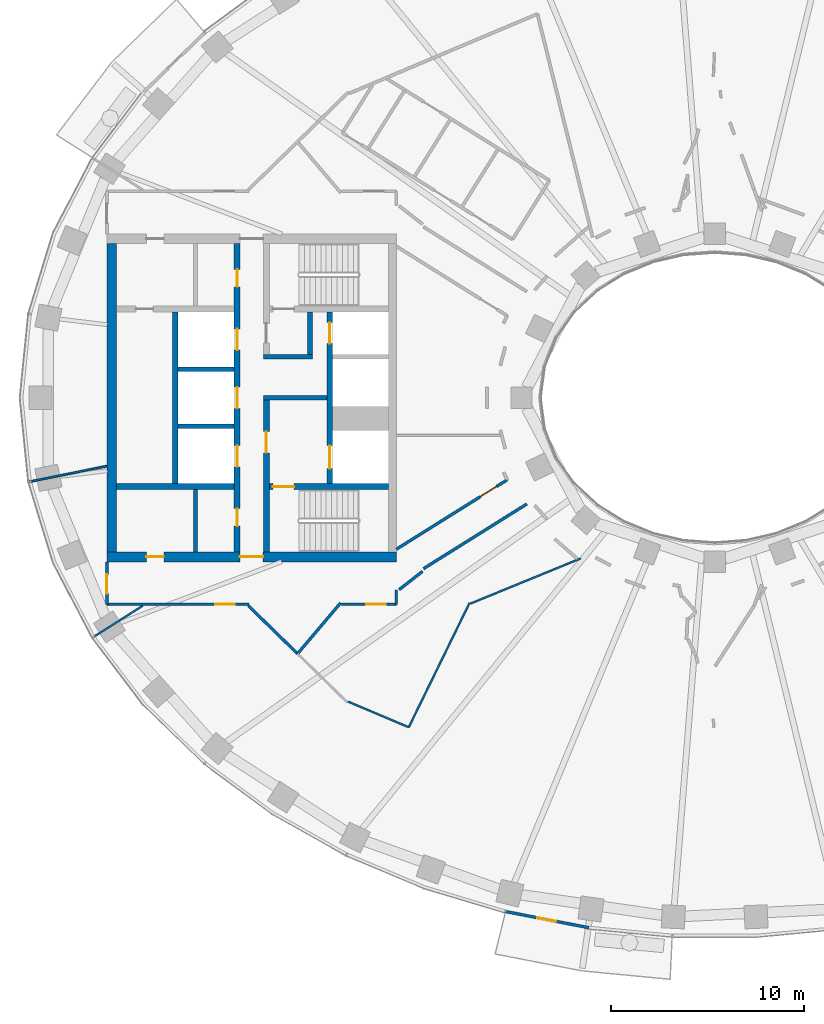
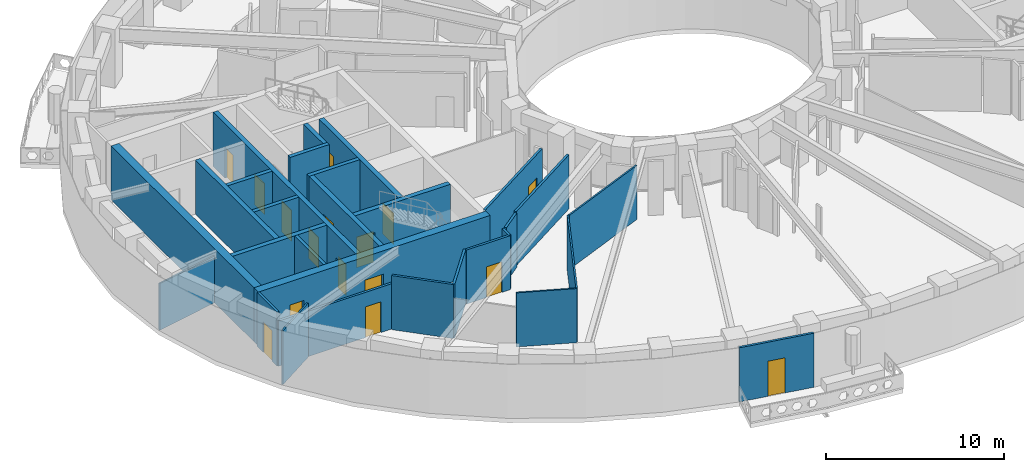
# One storey, part 3 of 16: 29 walls, 16 doors, 16 openings.
"""IFC4 building model written with IfcOpenShell, lengths in metres."""

from ifc_helpers import new_model, si_unit, direction, frame, frame_2d, origin, place, context, subcontext, project, spatial, rectangle, extrude, material, layer, layer_set, type_object, element, fill, save


model = new_model("IFC4")

# Units and contexts
model_context = context("Model", 3, precision=1e-05, world=origin(), true_north=direction((0.0, 1.0)))
body_context = subcontext(model_context, "Body", "Model", "MODEL_VIEW")
ifc_project = project(units=[si_unit("LENGTHUNIT", "METRE"), si_unit("AREAUNIT", "SQUARE_METRE"), si_unit("VOLUMEUNIT", "CUBIC_METRE"), si_unit("PLANEANGLEUNIT", "RADIAN"), si_unit("MASSUNIT", "GRAM", prefix="KILO")], contexts=[model_context])

# Site, building, storey
site_placement = place(None, origin())
site = spatial("IfcSite", under=ifc_project, at=site_placement, CompositionType="ELEMENT")
building_placement = place(site_placement, origin())
building = spatial("IfcBuilding", under=site, at=building_placement, Name="Noorbagh Ring Tower", CompositionType="ELEMENT")
storey_placement = place(building_placement, frame((0.0, 0.0, 154.0)))
storey = spatial("IfcBuildingStorey", under=building, at=storey_placement, Name="L35", CompositionType="ELEMENT", Elevation=154.0)

# Walls
ifc_material_1 = material(Name="Gypsum board on steel studs", Category="steel")
ifc_layer_1 = layer(ifc_material_1, 0.199951171875)
ifc_layer_set_1 = layer_set([ifc_layer_1], Name="Gypsum board on steel studs")
wall_type_1 = type_object("IfcWallType", Name="CORE-PARTITION-200", PredefinedType="PARTITIONING", material=ifc_layer_set_1)
wall_1_placement = place(storey_placement, frame((-26.89990234375, -8.0, 0.0), z_axis=(0.0, 0.0, 1.0), x_axis=(0.0, 1.0, 0.0)))
element("IfcWall", 1, at=wall_1_placement, inside=storey, type_object=wall_type_1, Name="Core partition W", PredefinedType="PARTITIONING", context=body_context, shape_type="SweptSolid", body=[
    extrude(rectangle(XDim=3.25, YDim=0.199951171875, at=frame_2d((1.625, 0.0))), origin(), (0.0, 0.0, 1.0), 3.699951171875),
])
ifc_material_2 = material(Name="Concrete C60/75", Category="concrete")
ifc_layer_2 = layer(ifc_material_2, 0.25)
ifc_layer_set_2 = layer_set([ifc_layer_2], Name="Concrete C60/75")
wall_type_2 = type_object("IfcWallType", Name="CORE-WALL-250-C60-75-EI120", PredefinedType="SHEAR", material=ifc_layer_set_2)
for number, where, z_axis, x_axis, name in (
    (2, (-24.89990234375, -1.47509765625, 0.0), (0.0, 0.0, 1.0), (-1.0, 0.0, 0.0), "Core wall W"),
    (3, (-24.89990234375, 1.47509765625, 0.0), (0.0, 0.0, 1.0), (-1.0, 0.0, 0.0), "Core wall W"),
):
    element("IfcWall", number, at=place(storey_placement, frame(where, z_axis=z_axis, x_axis=x_axis)), inside=storey, type_object=wall_type_2, Name=name, PredefinedType="SHEAR", context=body_context, shape_type="SweptSolid", body=[
        extrude(rectangle(XDim=2.900146484375, YDim=0.25, at=frame_2d((1.4501953125, 0.0))), origin(), (0.0, 0.0, 1.0), 3.699951171875),
    ])
ifc_material_3 = material(Name="Concrete C60/75", Category="concrete")
ifc_layer_3 = layer(ifc_material_3, 0.25)
ifc_layer_set_3 = layer_set([ifc_layer_3], Name="Concrete C60/75")
wall_type_3 = type_object("IfcWallType", Name="CORE-WALL-250-C60-75-EI240", PredefinedType="SHEAR", material=ifc_layer_set_3)
wall_2_placement = place(storey_placement, frame((-20.10009765625, 0.0, 0.0), z_axis=(0.0, 0.0, 1.0), x_axis=(-1.0, 0.0, 0.0)))
element("IfcWall", 4, at=wall_2_placement, inside=storey, type_object=wall_type_3, Name="Core wall W", PredefinedType="SHEAR", context=body_context, shape_type="SweptSolid", body=[
    extrude(rectangle(XDim=3.27978515625, YDim=0.25, at=frame_2d((1.639892578125, 0.0))), origin(), (0.0, 0.0, 1.0), 3.699951171875),
])
wall_3_placement = place(storey_placement, frame((-20.85009765625, 2.125, 0.0), z_axis=(0.0, 0.0, 1.0), x_axis=(-1.0, 0.0, 0.0)))
element("IfcWall", 5, at=wall_3_placement, inside=storey, type_object=wall_type_3, Name="Core wall W", PredefinedType="SHEAR", context=body_context, shape_type="SweptSolid", body=[
    extrude(rectangle(XDim=2.52978515625, YDim=0.25, at=frame_2d((1.264892578125, 0.0))), origin(), (0.0, 0.0, 1.0), 3.699951171875),
])
wall_4_placement = place(storey_placement, frame((-20.97509765625, 2.25, 0.0), z_axis=(0.0, 0.0, 1.0), x_axis=(0.0, 1.0, 0.0)))
element("IfcWall", 6, at=wall_4_placement, inside=storey, type_object=wall_type_3, Name="Core wall W", PredefinedType="SHEAR", context=body_context, shape_type="SweptSolid", body=[
    extrude(rectangle(XDim=2.199951171875, YDim=0.25, at=frame_2d((1.10009765625, 0.0))), origin(), (0.0, 0.0, 1.0), 3.699951171875),
])
ifc_material_4 = material(Name="Concrete C60/75", Category="concrete")
ifc_layer_4 = layer(ifc_material_4, 0.300048828125)
ifc_layer_set_4 = layer_set([ifc_layer_4], Name="Concrete C60/75")
wall_type_4 = type_object("IfcWallType", Name="CORE-WALL-300-C60-75-EI120", PredefinedType="SHEAR", material=ifc_layer_set_4)
wall_5_placement = place(storey_placement, frame((-27.949951171875, -4.449951171875, 0.0), z_axis=(0.0, 0.0, 1.0), x_axis=(0.0, 1.0, 0.0)))
element("IfcWall", 7, at=wall_5_placement, inside=storey, type_object=wall_type_4, Name="Core wall W", PredefinedType="SHEAR", context=body_context, shape_type="SweptSolid", body=[
    extrude(rectangle(XDim=8.89990234375, YDim=0.300048828125, at=frame_2d((4.449951171875, 0.0))), origin(), (0.0, 0.0, 1.0), 3.699951171875),
])

# Wall, openings, doors
wall_6_placement = place(storey_placement, frame((-19.949951171875, -4.449951171875, 0.0), z_axis=(0.0, 0.0, 1.0), x_axis=(0.0, 1.0, 0.0)))
wall_6 = element("IfcWall", 8, at=wall_6_placement, inside=storey, type_object=wall_type_4, Name="Core wall W", PredefinedType="SHEAR", context=body_context, shape_type="SweptSolid", body=[
    extrude(rectangle(XDim=8.89990234375, YDim=0.300048828125, at=frame_2d((4.449951171875, 0.0))), origin(), (0.0, 0.0, 1.0), 3.699951171875),
])
opening_1_placement = place(wall_6_placement, frame((0.77490234375, 0.0, 0.0)))
opening_1 = element("IfcOpeningElement", 9, at=opening_1_placement, cuts=wall_6, Name="Opening L35-CW01", PredefinedType="OPENING", context=body_context, shape_type="SweptSolid", body=[
    extrude(rectangle(XDim=1.199951171875, YDim=2.10009765625, at=frame_2d((0.60009765625, 1.050048828125))), frame((0.0, 0.16015625, 0.0), z_axis=(0.0, -1.0, 0.0), x_axis=(1.0, 0.0, 0.0)), (0.0, 0.0, 1.0), 0.320068359375),
])
opening_2_placement = place(wall_6_placement, frame((7.25, 0.0, 0.0)))
opening_2 = element("IfcOpeningElement", 10, at=opening_2_placement, cuts=wall_6, Name="Opening L35-CW02", PredefinedType="OPENING", context=body_context, shape_type="SweptSolid", body=[
    extrude(rectangle(XDim=1.10009765625, YDim=2.10009765625, at=frame_2d((0.550048828125, 1.050048828125))), frame((0.0, 0.16015625, 0.0), z_axis=(0.0, -1.0, 0.0), x_axis=(1.0, 0.0, 0.0)), (0.0, 0.0, 1.0), 0.320068359375),
])
ifc_material_5 = material(Name="Steel door leaf", Category="steel")
door_type_1 = type_object("IfcDoorType", Name="CORE-DOOR-LD", OperationType="DOUBLE_DOOR_SLIDING", PredefinedType="DOOR", material=ifc_material_5)
door_1_placement = place(opening_2_placement, origin())
door_1 = element("IfcDoor", 11, at=door_1_placement, inside=storey, type_object=door_type_1, Name="Landing door HR1 L35-CW02", OperationType="DOUBLE_DOOR_SLIDING", OverallHeight=2.10009765625, OverallWidth=1.10009765625, PredefinedType="DOOR", context=body_context, shape_type="SweptSolid", body=[
    extrude(rectangle(XDim=1.10009765625, YDim=2.10009765625, at=frame_2d((0.550048828125, 1.050048828125))), frame((0.0, 0.02490234375, 0.0), z_axis=(0.0, -1.0, 0.0), x_axis=(1.0, 0.0, 0.0)), (0.0, 0.0, 1.0), 0.050048828125),
])
fill(opening_2, door_1)
ifc_material_6 = material(Name="Steel door leaf", Category="steel")
door_type_2 = type_object("IfcDoorType", Name="CORE-DOOR-LDW", OperationType="DOUBLE_DOOR_SLIDING", PredefinedType="DOOR", material=ifc_material_6)
door_2_placement = place(opening_1_placement, origin())
door_2 = element("IfcDoor", 12, at=door_2_placement, inside=storey, type_object=door_type_2, Name="Landing door FF1 L35-CW01", OperationType="DOUBLE_DOOR_SLIDING", OverallHeight=2.10009765625, OverallWidth=1.199951171875, PredefinedType="DOOR", context=body_context, shape_type="SweptSolid", body=[
    extrude(rectangle(XDim=1.199951171875, YDim=2.10009765625, at=frame_2d((0.60009765625, 1.050048828125))), frame((0.0, 0.02490234375, 0.0), z_axis=(0.0, -1.0, 0.0), x_axis=(1.0, 0.0, 0.0)), (0.0, 0.0, 1.0), 0.050048828125),
])
fill(opening_1, door_2)

wall_7_placement = place(storey_placement, frame((-24.75, -8.0, 0.0), z_axis=(0.0, 0.0, 1.0), x_axis=(0.0, 1.0, 0.0)))
wall_7 = element("IfcWall", 13, at=wall_7_placement, inside=storey, type_object=wall_type_4, Name="Core wall W", PredefinedType="SHEAR", context=body_context, shape_type="SweptSolid", body=[
    extrude(rectangle(XDim=16.0, YDim=0.300048828125, at=frame_2d((8.0, 0.0))), origin(), (0.0, 0.0, 1.0), 3.699951171875),
])
opening_3_placement = place(wall_7_placement, frame((4.425048828125, 0.0, 0.0)))
opening_3 = element("IfcOpeningElement", 14, at=opening_3_placement, cuts=wall_7, Name="Opening L35-CW03", PredefinedType="OPENING", context=body_context, shape_type="SweptSolid", body=[
    extrude(rectangle(XDim=1.10009765625, YDim=2.10009765625, at=frame_2d((0.550048828125, 1.050048828125))), frame((0.0, 0.16015625, 0.0), z_axis=(0.0, -1.0, 0.0), x_axis=(1.0, 0.0, 0.0)), (0.0, 0.0, 1.0), 0.320068359375),
])
opening_4_placement = place(wall_7_placement, frame((7.449951171875, 0.0, 0.0)))
opening_4 = element("IfcOpeningElement", 15, at=opening_4_placement, cuts=wall_7, Name="Opening L35-CW04", PredefinedType="OPENING", context=body_context, shape_type="SweptSolid", body=[
    extrude(rectangle(XDim=1.10009765625, YDim=2.10009765625, at=frame_2d((0.550048828125, 1.050048828125))), frame((0.0, 0.16015625, 0.0), z_axis=(0.0, -1.0, 0.0), x_axis=(1.0, 0.0, 0.0)), (0.0, 0.0, 1.0), 0.320068359375),
])
opening_5_placement = place(wall_7_placement, frame((10.47509765625, 0.0, 0.0)))
opening_5 = element("IfcOpeningElement", 16, at=opening_5_placement, cuts=wall_7, Name="Opening L35-CW05", PredefinedType="OPENING", context=body_context, shape_type="SweptSolid", body=[
    extrude(rectangle(XDim=1.10009765625, YDim=2.10009765625, at=frame_2d((0.550048828125, 1.050048828125))), frame((0.0, 0.16015625, 0.0), z_axis=(0.0, -1.0, 0.0), x_axis=(1.0, 0.0, 0.0)), (0.0, 0.0, 1.0), 0.320068359375),
])
opening_6_placement = place(wall_7_placement, frame((13.75, 0.0, 0.0)))
opening_6 = element("IfcOpeningElement", 17, at=opening_6_placement, cuts=wall_7, Name="Opening L35-CW12", PredefinedType="OPENING", context=body_context, shape_type="SweptSolid", body=[
    extrude(rectangle(XDim=0.89990234375, YDim=2.10009765625, at=frame_2d((0.449951171875, 1.050048828125))), frame((0.0, 0.16015625, 0.0), z_axis=(0.0, -1.0, 0.0), x_axis=(1.0, 0.0, 0.0)), (0.0, 0.0, 1.0), 0.320068359375),
])
opening_7_placement = place(wall_7_placement, frame((1.35009765625, 0.0, 0.0)))
opening_7 = element("IfcOpeningElement", 18, at=opening_7_placement, cuts=wall_7, Name="Opening L35-CW14", PredefinedType="OPENING", context=body_context, shape_type="SweptSolid", body=[
    extrude(rectangle(XDim=0.89990234375, YDim=2.10009765625, at=frame_2d((0.449951171875, 1.050048828125))), frame((0.0, 0.16015625, 0.0), z_axis=(0.0, -1.0, 0.0), x_axis=(1.0, 0.0, 0.0)), (0.0, 0.0, 1.0), 0.320068359375),
])
ifc_material_7 = material(Name="Steel door leaf", Category="steel")
door_type_3 = type_object("IfcDoorType", Name="CORE-DOOR-DROOM", OperationType="SINGLE_SWING_LEFT", PredefinedType="DOOR", material=ifc_material_7)
door_3_placement = place(opening_6_placement, origin())
door_3 = element("IfcDoor", 19, at=door_3_placement, inside=storey, type_object=door_type_3, Name="Core room door L35-CW12", OperationType="SINGLE_SWING_RIGHT", OverallHeight=2.10009765625, OverallWidth=0.89990234375, PredefinedType="DOOR", context=body_context, shape_type="SweptSolid", body=[
    extrude(rectangle(XDim=0.89990234375, YDim=2.10009765625, at=frame_2d((0.449951171875, 1.050048828125))), frame((0.0, 0.02490234375, 0.0), z_axis=(0.0, -1.0, 0.0), x_axis=(1.0, 0.0, 0.0)), (0.0, 0.0, 1.0), 0.050048828125),
])
fill(opening_6, door_3)
door_4_placement = place(opening_7_placement, origin())
door_4 = element("IfcDoor", 20, at=door_4_placement, inside=storey, type_object=door_type_3, Name="Core room door L35-CW14", OperationType="SINGLE_SWING_LEFT", OverallHeight=2.10009765625, OverallWidth=0.89990234375, PredefinedType="DOOR", context=body_context, shape_type="SweptSolid", body=[
    extrude(rectangle(XDim=0.89990234375, YDim=2.10009765625, at=frame_2d((0.449951171875, 1.050048828125))), frame((0.0, 0.02490234375, 0.0), z_axis=(0.0, -1.0, 0.0), x_axis=(1.0, 0.0, 0.0)), (0.0, 0.0, 1.0), 0.050048828125),
])
fill(opening_7, door_4)
door_5_placement = place(opening_3_placement, origin())
door_5 = element("IfcDoor", 21, at=door_5_placement, inside=storey, type_object=door_type_1, Name="Landing door HR2 L35-CW03", OperationType="DOUBLE_DOOR_SLIDING", OverallHeight=2.10009765625, OverallWidth=1.10009765625, PredefinedType="DOOR", context=body_context, shape_type="SweptSolid", body=[
    extrude(rectangle(XDim=1.10009765625, YDim=2.10009765625, at=frame_2d((0.550048828125, 1.050048828125))), frame((0.0, 0.02490234375, 0.0), z_axis=(0.0, -1.0, 0.0), x_axis=(1.0, 0.0, 0.0)), (0.0, 0.0, 1.0), 0.050048828125),
])
fill(opening_3, door_5)
door_6_placement = place(opening_4_placement, origin())
door_6 = element("IfcDoor", 22, at=door_6_placement, inside=storey, type_object=door_type_1, Name="Landing door HR3 L35-CW04", OperationType="DOUBLE_DOOR_SLIDING", OverallHeight=2.10009765625, OverallWidth=1.10009765625, PredefinedType="DOOR", context=body_context, shape_type="SweptSolid", body=[
    extrude(rectangle(XDim=1.10009765625, YDim=2.10009765625, at=frame_2d((0.550048828125, 1.050048828125))), frame((0.0, 0.02490234375, 0.0), z_axis=(0.0, -1.0, 0.0), x_axis=(1.0, 0.0, 0.0)), (0.0, 0.0, 1.0), 0.050048828125),
])
fill(opening_4, door_6)
door_7_placement = place(opening_5_placement, origin())
door_7 = element("IfcDoor", 23, at=door_7_placement, inside=storey, type_object=door_type_1, Name="Landing door HR4 L35-CW05", OperationType="DOUBLE_DOOR_SLIDING", OverallHeight=2.10009765625, OverallWidth=1.10009765625, PredefinedType="DOOR", context=body_context, shape_type="SweptSolid", body=[
    extrude(rectangle(XDim=1.10009765625, YDim=2.10009765625, at=frame_2d((0.550048828125, 1.050048828125))), frame((0.0, 0.02490234375, 0.0), z_axis=(0.0, -1.0, 0.0), x_axis=(1.0, 0.0, 0.0)), (0.0, 0.0, 1.0), 0.050048828125),
])
fill(opening_5, door_7)

# Wall
ifc_material_8 = material(Name="Concrete C60/75", Category="concrete")
ifc_layer_5 = layer(ifc_material_8, 0.300048828125)
ifc_layer_set_5 = layer_set([ifc_layer_5], Name="Concrete C60/75")
wall_type_5 = type_object("IfcWallType", Name="CORE-WALL-300-C60-75-EI240", PredefinedType="SHEAR", material=ifc_layer_set_5)
wall_8_placement = place(storey_placement, frame((-24.89990234375, -4.60009765625, 0.0), z_axis=(0.0, 0.0, 1.0), x_axis=(-1.0, 0.0, 0.0)))
element("IfcWall", 24, at=wall_8_placement, inside=storey, type_object=wall_type_5, Name="Core wall W", PredefinedType="SHEAR", context=body_context, shape_type="SweptSolid", body=[
    extrude(rectangle(XDim=6.10009765625, YDim=0.300048828125, at=frame_2d((3.050048828125, 0.0))), origin(), (0.0, 0.0, 1.0), 3.699951171875),
])

# Wall, opening, door
wall_9_placement = place(storey_placement, frame((-23.22998046875, -8.0, 0.0), z_axis=(0.0, 0.0, 1.0), x_axis=(0.0, 1.0, 0.0)))
wall_9 = element("IfcWall", 25, at=wall_9_placement, inside=storey, type_object=wall_type_5, Name="Core wall W", PredefinedType="SHEAR", context=body_context, shape_type="SweptSolid", body=[
    extrude(rectangle(XDim=7.875, YDim=0.300048828125, at=frame_2d((3.9375, 0.0))), origin(), (0.0, 0.0, 1.0), 3.699951171875),
])
opening_8_placement = place(wall_9_placement, frame((5.14990234375, 0.0, 0.0)))
opening_8 = element("IfcOpeningElement", 26, at=opening_8_placement, cuts=wall_9, Name="Opening L35-CW08", PredefinedType="OPENING", context=body_context, shape_type="SweptSolid", body=[
    extrude(rectangle(XDim=1.10009765625, YDim=2.10009765625, at=frame_2d((0.550048828125, 1.050048828125))), frame((0.0, 0.16015625, 0.0), z_axis=(0.0, -1.0, 0.0), x_axis=(1.0, 0.0, 0.0)), (0.0, 0.0, 1.0), 0.320068359375),
])
ifc_material_9 = material(Name="Steel door leaf", Category="steel")
door_type_4 = type_object("IfcDoorType", Name="CORE-DOOR-DFF", OperationType="SINGLE_SWING_LEFT", PredefinedType="DOOR", material=ifc_material_9)
door_8_placement = place(opening_8_placement, origin())
door_8 = element("IfcDoor", 27, at=door_8_placement, inside=storey, type_object=door_type_4, Name="Firefighting lobby door L35-CW08", OperationType="SINGLE_SWING_LEFT", OverallHeight=2.10009765625, OverallWidth=1.10009765625, PredefinedType="DOOR", context=body_context, shape_type="SweptSolid", body=[
    extrude(rectangle(XDim=1.10009765625, YDim=2.10009765625, at=frame_2d((0.550048828125, 1.050048828125))), frame((0.0, 0.02490234375, 0.0), z_axis=(0.0, -1.0, 0.0), x_axis=(1.0, 0.0, 0.0)), (0.0, 0.0, 1.0), 0.050048828125),
])
fill(opening_8, door_8)

wall_10_placement = place(storey_placement, frame((-16.89990234375, -4.60009765625, 0.0), z_axis=(0.0, 0.0, 1.0), x_axis=(-1.0, 0.0, 0.0)))
wall_10 = element("IfcWall", 28, at=wall_10_placement, inside=storey, type_object=wall_type_5, Name="Core wall W", PredefinedType="SHEAR", context=body_context, shape_type="SweptSolid", body=[
    extrude(rectangle(XDim=6.18017578125, YDim=0.300048828125, at=frame_2d((3.090087890625, 0.0))), origin(), (0.0, 0.0, 1.0), 3.699951171875),
])
opening_9_placement = place(wall_10_placement, frame((4.89990234375, 0.0, 0.0)))
opening_9 = element("IfcOpeningElement", 29, at=opening_9_placement, cuts=wall_10, Name="Opening L35-CW07", PredefinedType="OPENING", context=body_context, shape_type="SweptSolid", body=[
    extrude(rectangle(XDim=1.10009765625, YDim=2.10009765625, at=frame_2d((0.550048828125, 1.050048828125))), frame((0.0, 0.16015625, 0.0), z_axis=(0.0, -1.0, 0.0), x_axis=(1.0, 0.0, 0.0)), (0.0, 0.0, 1.0), 0.320068359375),
])
ifc_material_10 = material(Name="Steel door leaf", Category="steel")
door_type_5 = type_object("IfcDoorType", Name="CORE-DOOR-DSTAIR", OperationType="SINGLE_SWING_LEFT", PredefinedType="DOOR", material=ifc_material_10)
door_9_placement = place(opening_9_placement, origin())
door_9 = element("IfcDoor", 30, at=door_9_placement, inside=storey, type_object=door_type_5, Name="Stair door ST2 L35-CW07", OperationType="SINGLE_SWING_LEFT", OverallHeight=2.10009765625, OverallWidth=1.10009765625, PredefinedType="DOOR", context=body_context, shape_type="SweptSolid", body=[
    extrude(rectangle(XDim=1.10009765625, YDim=2.10009765625, at=frame_2d((0.550048828125, 1.050048828125))), frame((0.0, 0.02490234375, 0.0), z_axis=(0.0, -1.0, 0.0), x_axis=(1.0, 0.0, 0.0)), (0.0, 0.0, 1.0), 0.050048828125),
])
fill(opening_9, door_9)

# Wall, openings, doors
ifc_material_11 = material(Name="Concrete C60/75", Category="concrete")
ifc_layer_6 = layer(ifc_material_11, 0.5)
ifc_layer_set_6 = layer_set([ifc_layer_6], Name="Concrete C60/75")
wall_type_6 = type_object("IfcWallType", Name="CORE-WALL-500-C60-75-EI240", PredefinedType="SHEAR", material=ifc_layer_set_6)
wall_11_placement = place(storey_placement, frame((-16.5, -8.25, 0.0), z_axis=(0.0, 0.0, 1.0), x_axis=(-1.0, 0.0, 0.0)))
wall_11 = element("IfcWall", 31, at=wall_11_placement, inside=storey, type_object=wall_type_6, Name="Core wall W", PredefinedType="SHEAR", context=body_context, shape_type="SweptSolid", body=[
    extrude(rectangle(XDim=15.0, YDim=0.5, at=frame_2d((7.5, 0.0))), origin(), (0.0, 0.0, 1.0), 3.699951171875),
])
opening_10_placement = place(wall_11_placement, frame((6.89990234375, 0.0, 0.0)))
opening_10 = element("IfcOpeningElement", 32, at=opening_10_placement, cuts=wall_11, Name="Opening L35-CW11", PredefinedType="OPENING", context=body_context, shape_type="SweptSolid", body=[
    extrude(rectangle(XDim=1.199951171875, YDim=2.10009765625, at=frame_2d((0.60009765625, 1.050048828125))), frame((0.0, 0.260009765625, 0.0), z_axis=(0.0, -1.0, 0.0), x_axis=(1.0, 0.0, 0.0)), (0.0, 0.0, 1.0), 0.52001953125),
])
opening_11_placement = place(wall_11_placement, frame((12.050048828125, 0.0, 0.0)))
opening_11 = element("IfcOpeningElement", 33, at=opening_11_placement, cuts=wall_11, Name="Opening L35-CW15", PredefinedType="OPENING", context=body_context, shape_type="SweptSolid", body=[
    extrude(rectangle(XDim=0.89990234375, YDim=2.10009765625, at=frame_2d((0.449951171875, 1.050048828125))), frame((0.0, 0.260009765625, 0.0), z_axis=(0.0, -1.0, 0.0), x_axis=(1.0, 0.0, 0.0)), (0.0, 0.0, 1.0), 0.52001953125),
])
door_10_placement = place(opening_11_placement, origin())
door_10 = element("IfcDoor", 34, at=door_10_placement, inside=storey, type_object=door_type_3, Name="Core room door L35-CW15", OperationType="SINGLE_SWING_LEFT", OverallHeight=2.10009765625, OverallWidth=0.89990234375, PredefinedType="DOOR", context=body_context, shape_type="SweptSolid", body=[
    extrude(rectangle(XDim=0.89990234375, YDim=2.10009765625, at=frame_2d((0.449951171875, 1.050048828125))), frame((0.0, 0.02490234375, 0.0), z_axis=(0.0, -1.0, 0.0), x_axis=(1.0, 0.0, 0.0)), (0.0, 0.0, 1.0), 0.050048828125),
])
fill(opening_11, door_10)
ifc_material_12 = material(Name="Steel door leaf", Category="steel")
door_type_6 = type_object("IfcDoorType", Name="CORE-DOOR-PORT", OperationType="DOUBLE_DOOR_DOUBLE_SWING", PredefinedType="DOOR", material=ifc_material_12)
door_11_placement = place(opening_10_placement, origin())
door_11 = element("IfcDoor", 35, at=door_11_placement, inside=storey, type_object=door_type_6, Name="Core entrance door L35-CW11", OperationType="DOUBLE_DOOR_DOUBLE_SWING", OverallHeight=2.10009765625, OverallWidth=1.199951171875, PredefinedType="DOOR", context=body_context, shape_type="SweptSolid", body=[
    extrude(rectangle(XDim=1.199951171875, YDim=2.10009765625, at=frame_2d((0.60009765625, 1.050048828125))), frame((0.0, 0.02490234375, 0.0), z_axis=(0.0, -1.0, 0.0), x_axis=(1.0, 0.0, 0.0)), (0.0, 0.0, 1.0), 0.050048828125),
])
fill(opening_10, door_11)

# Wall
wall_12_placement = place(storey_placement, frame((-31.25, -8.0, 0.0), z_axis=(0.0, 0.0, 1.0), x_axis=(0.0, 1.0, 0.0)))
element("IfcWall", 36, at=wall_12_placement, inside=storey, type_object=wall_type_6, Name="Core wall W", PredefinedType="SHEAR", context=body_context, shape_type="SweptSolid", body=[
    extrude(rectangle(XDim=16.0, YDim=0.5, at=frame_2d((8.0, 0.0))), origin(), (0.0, 0.0, 1.0), 3.699951171875),
])

# Wall, opening, door
ifc_material_13 = material(Name="Gypsum board on steel studs", Category="steel")
ifc_layer_7 = layer(ifc_material_13, 0.14990234375)
ifc_layer_set_7 = layer_set([ifc_layer_7], Name="Gypsum board on steel studs")
wall_type_7 = type_object("IfcWallType", Name="CORRIDOR PARTITION 150 EI 30", PredefinedType="PARTITIONING", material=ifc_layer_set_7)
wall_13_placement = place(storey_placement, frame((-31.5, -10.699951171875, 0.0), z_axis=(0.0, 0.0, 1.0), x_axis=(0.0, 1.0, 0.0)))
wall_13 = element("IfcWall", 37, at=wall_13_placement, inside=storey, type_object=wall_type_7, Name="L35/wall/P04", PredefinedType="PARTITIONING", context=body_context, shape_type="SweptSolid", body=[
    extrude(rectangle(XDim=2.199951171875, YDim=0.14990234375, at=frame_2d((1.10009765625, 0.0))), origin(), (0.0, 0.0, 1.0), 3.699951171875),
])
opening_12_placement = place(wall_13_placement, frame((0.550048828125, 0.0, 0.0)))
opening_12 = element("IfcOpeningElement", 38, at=opening_12_placement, cuts=wall_13, Name="Opening D1", PredefinedType="OPENING", context=body_context, shape_type="SweptSolid", body=[
    extrude(rectangle(XDim=1.0, YDim=2.10009765625, at=frame_2d((0.5, 1.050048828125))), frame((0.0, 0.0849609375, 0.0), z_axis=(0.0, -1.0, 0.0), x_axis=(1.0, 0.0, 0.0)), (0.0, 0.0, 1.0), 0.169921875),
])
ifc_material_14 = material(Name="Timber, painted", Category="wood")
door_type_7 = type_object("IfcDoorType", Name="DOOR 1000 X 2100 FD30", OperationType="SINGLE_SWING_LEFT", PredefinedType="DOOR", material=ifc_material_14)
door_12_placement = place(opening_12_placement, origin())
door_12 = element("IfcDoor", 39, at=door_12_placement, inside=storey, type_object=door_type_7, Name="L35-D06", OperationType="SINGLE_SWING_RIGHT", OverallHeight=2.10009765625, OverallWidth=1.0, PredefinedType="DOOR", context=body_context, shape_type="SweptSolid", body=[
    extrude(rectangle(XDim=1.0, YDim=2.10009765625, at=frame_2d((0.5, 1.050048828125))), frame((0.0, 0.02490234375, 0.0), z_axis=(0.0, -1.0, 0.0), x_axis=(1.0, 0.0, 0.0)), (0.0, 0.0, 1.0), 0.050048828125),
])
fill(opening_12, door_12)

wall_14_placement = place(storey_placement, frame((-31.5, -10.699951171875, 0.0), z_axis=(0.0, 0.0, 1.0), x_axis=(1.0, 0.0, 0.0)))
wall_14 = element("IfcWall", 40, at=wall_14_placement, inside=storey, type_object=wall_type_7, Name="L35/wall/P05", PredefinedType="PARTITIONING", context=body_context, shape_type="SweptSolid", body=[
    extrude(rectangle(XDim=7.361083984375, YDim=0.14990234375, at=frame_2d((3.6806640625, 0.0))), origin(), (0.0, 0.0, 1.0), 3.10009765625),
])
opening_13_placement = place(wall_14_placement, frame((5.62890625, 0.0, 0.0)))
opening_13 = element("IfcOpeningElement", 41, at=opening_13_placement, cuts=wall_14, Name="Opening D1", PredefinedType="OPENING", context=body_context, shape_type="SweptSolid", body=[
    extrude(rectangle(XDim=1.0, YDim=2.10009765625, at=frame_2d((0.5, 1.050048828125))), frame((0.0, 0.0849609375, 0.0), z_axis=(0.0, -1.0, 0.0), x_axis=(1.0, 0.0, 0.0)), (0.0, 0.0, 1.0), 0.169921875),
])
door_13_placement = place(opening_13_placement, origin())
door_13 = element("IfcDoor", 42, at=door_13_placement, inside=storey, type_object=door_type_7, Name="L35-D08", OperationType="SINGLE_SWING_RIGHT", OverallHeight=2.10009765625, OverallWidth=1.0, PredefinedType="DOOR", context=body_context, shape_type="SweptSolid", body=[
    extrude(rectangle(XDim=1.0, YDim=2.10009765625, at=frame_2d((0.5, 1.050048828125))), frame((0.0, 0.02490234375, 0.0), z_axis=(0.0, -1.0, 0.0), x_axis=(1.0, 0.0, 0.0)), (0.0, 0.0, 1.0), 0.050048828125),
])
fill(opening_13, door_13)

# Walls
wall_15_placement = place(storey_placement, frame((-24.166015625, -10.778076171875, 0.0), z_axis=(0.0, 0.0, 1.0), x_axis=(0.715930732039, -0.698171316313, 0.0)))
element("IfcWall", 43, at=wall_15_placement, inside=storey, type_object=wall_type_7, Name="L35/wall/P08", PredefinedType="PARTITIONING", context=body_context, shape_type="SweptSolid", body=[
    extrude(rectangle(XDim=3.560546875, YDim=0.14990234375, at=frame_2d((1.7802734375, 0.0))), origin(), (0.0, 0.0, 1.0), 3.699951171875),
])
wall_16_placement = place(storey_placement, frame((-21.616943359375, -13.263916015625, 0.0), z_axis=(0.0, 0.0, 1.0), x_axis=(0.646521695402, 0.762895600574, 0.0)))
element("IfcWall", 44, at=wall_16_placement, inside=storey, type_object=wall_type_7, Name="L35/wall/P10", PredefinedType="PARTITIONING", context=body_context, shape_type="SweptSolid", body=[
    extrude(rectangle(XDim=3.455322265625, YDim=0.14990234375, at=frame_2d((1.7275390625, 0.0))), origin(), (0.0, 0.0, 1.0), 3.699951171875),
])

# Wall, opening, door
wall_17_placement = place(storey_placement, frame((-19.346923828125, -10.699951171875, 0.0), z_axis=(0.0, 0.0, 1.0), x_axis=(1.0, 0.0, 0.0)))
wall_17 = element("IfcWall", 45, at=wall_17_placement, inside=storey, type_object=wall_type_7, Name="L35/wall/P13", PredefinedType="PARTITIONING", context=body_context, shape_type="SweptSolid", body=[
    extrude(rectangle(XDim=2.846923828125, YDim=0.14990234375, at=frame_2d((1.42333984375, 0.0))), origin(), (0.0, 0.0, 1.0), 3.699951171875),
])
opening_14_placement = place(wall_17_placement, frame((1.302001953125, 0.0, 0.0)))
opening_14 = element("IfcOpeningElement", 46, at=opening_14_placement, cuts=wall_17, Name="Opening D1", PredefinedType="OPENING", context=body_context, shape_type="SweptSolid", body=[
    extrude(rectangle(XDim=1.0, YDim=2.10009765625, at=frame_2d((0.5, 1.050048828125))), frame((0.0, 0.0849609375, 0.0), z_axis=(0.0, -1.0, 0.0), x_axis=(1.0, 0.0, 0.0)), (0.0, 0.0, 1.0), 0.169921875),
])
door_14_placement = place(opening_14_placement, origin())
door_14 = element("IfcDoor", 47, at=door_14_placement, inside=storey, type_object=door_type_7, Name="L35-D10", OperationType="SINGLE_SWING_RIGHT", OverallHeight=2.10009765625, OverallWidth=1.0, PredefinedType="DOOR", context=body_context, shape_type="SweptSolid", body=[
    extrude(rectangle(XDim=1.0, YDim=2.10009765625, at=frame_2d((0.5, 1.050048828125))), frame((0.0, 0.02490234375, 0.0), z_axis=(0.0, -1.0, 0.0), x_axis=(1.0, 0.0, 0.0)), (0.0, 0.0, 1.0), 0.050048828125),
])
fill(opening_14, door_14)

# Wall
wall_18_placement = place(storey_placement, frame((-16.5, -10.699951171875, 0.0), z_axis=(0.0, 0.0, 1.0), x_axis=(0.0, 1.0, 0.0)))
element("IfcWall", 48, at=wall_18_placement, inside=storey, type_object=wall_type_7, Name="L35/wall/P22", PredefinedType="PARTITIONING", context=body_context, shape_type="SweptSolid", body=[
    extrude(rectangle(XDim=0.73583984375, YDim=0.14990234375, at=frame_2d((0.367919921875, 0.0))), origin(), (0.0, 0.0, 1.0), 3.699951171875),
])

# Wall, opening, door
wall_19_placement = place(storey_placement, frame((-16.5, -7.85107421875, 0.0), z_axis=(0.0, 0.0, 1.0), x_axis=(0.847690706888, 0.530490777917, 0.0)))
wall_19 = element("IfcWall", 49, at=wall_19_placement, inside=storey, type_object=wall_type_7, Name="L35/wall/P27", PredefinedType="PARTITIONING", context=body_context, shape_type="SweptSolid", body=[
    extrude(rectangle(XDim=6.78076171875, YDim=0.14990234375, at=frame_2d((3.390380859375, 0.0))), origin(), (0.0, 0.0, 1.0), 3.699951171875),
])
opening_15_placement = place(wall_19_placement, frame((5.130615234375, 0.0, 0.0)))
opening_15 = element("IfcOpeningElement", 50, at=opening_15_placement, cuts=wall_19, Name="Opening D1", PredefinedType="OPENING", context=body_context, shape_type="SweptSolid", body=[
    extrude(rectangle(XDim=1.0, YDim=2.10009765625, at=frame_2d((0.5, 1.050048828125))), frame((0.0, 0.0849609375, 0.0), z_axis=(0.0, -1.0, 0.0), x_axis=(1.0, 0.0, 0.0)), (0.0, 0.0, 1.0), 0.169921875),
])
door_15_placement = place(opening_15_placement, origin())
door_15 = element("IfcDoor", 51, at=door_15_placement, inside=storey, type_object=door_type_7, Name="L35-D15", OperationType="SINGLE_SWING_LEFT", OverallHeight=2.10009765625, OverallWidth=1.0, PredefinedType="DOOR", context=body_context, shape_type="SweptSolid", body=[
    extrude(rectangle(XDim=1.0, YDim=2.10009765625, at=frame_2d((0.5, 1.050048828125))), frame((0.0, 0.02490234375, 0.0), z_axis=(0.0, -1.0, 0.0), x_axis=(1.0, 0.0, 0.0)), (0.0, 0.0, 1.0), 0.050048828125),
])
fill(opening_15, door_15)

# Walls
wall_20_placement = place(storey_placement, frame((-15.089111328125, -8.85595703125, 0.0), z_axis=(0.0, 0.0, 1.0), x_axis=(0.847611500167, 0.53061732424, 0.0)))
element("IfcWall", 52, at=wall_20_placement, inside=storey, type_object=wall_type_7, Name="L35/wall/P30", PredefinedType="PARTITIONING", context=body_context, shape_type="SweptSolid", body=[
    extrude(rectangle(XDim=6.3154296875, YDim=0.14990234375, at=frame_2d((3.15771484375, 0.0))), origin(), (0.0, 0.0, 1.0), 3.699951171875),
])
wall_21_placement = place(storey_placement, frame((-15.138916015625, -8.9970703125, 0.0), z_axis=(0.0, 0.0, 1.0), x_axis=(-0.788950226826, -0.614457109643, 0.0)))
element("IfcWall", 53, at=wall_21_placement, inside=storey, type_object=wall_type_7, Name="L35/wall/P104", PredefinedType="PARTITIONING", context=body_context, shape_type="SweptSolid", body=[
    extrude(rectangle(XDim=1.53759765625, YDim=0.14990234375, at=frame_2d((0.768798828125, 0.0))), origin(), (0.0, 0.0, 1.0), 3.699951171875),
])

# Wall, opening, door
ifc_material_15 = material(Name="Insulated aluminium clad panel", Category="aluminium")
ifc_layer_8 = layer(ifc_material_15, 0.14990234375)
ifc_layer_set_8 = layer_set([ifc_layer_8], Name="Insulated aluminium clad panel")
wall_type_8 = type_object("IfcWallType", Name="ENV-WALL-DOOR", PredefinedType="STANDARD", material=ifc_layer_set_8)
wall_22_placement = place(storey_placement, frame((-10.87060546875, -26.616943359375, 0.0), z_axis=(0.0, 0.0, 1.0), x_axis=(0.981631174778, -0.190788460615, 0.0)))
wall_22 = element("IfcWall", 54, at=wall_22_placement, inside=storey, type_object=wall_type_8, Name="Balcony door wall chord 33", PredefinedType="STANDARD", context=body_context, shape_type="SweptSolid", body=[
    extrude(rectangle(XDim=4.42626953125, YDim=0.14990234375, at=frame_2d((2.213134765625, 0.0))), origin(), (0.0, 0.0, 1.0), 3.699951171875),
])
opening_16_placement = place(wall_22_placement, frame((1.713134765625, 0.0, 0.0)))
opening_16 = element("IfcOpeningElement", 55, at=opening_16_placement, cuts=wall_22, Name="Opening D-BL", PredefinedType="OPENING", context=body_context, shape_type="SweptSolid", body=[
    extrude(rectangle(XDim=1.0, YDim=2.39990234375, at=frame_2d((0.5, 1.199951171875))), frame((0.0, 0.0849609375, 0.0), z_axis=(0.0, -1.0, 0.0), x_axis=(1.0, 0.0, 0.0)), (0.0, 0.0, 1.0), 0.169921875),
])
ifc_material_16 = material(Name="Aluminium and glass", Category="aluminium")
door_type_8 = type_object("IfcDoorType", Name="ENV-DOOR-BALCONY", OperationType="SINGLE_SWING_LEFT", PredefinedType="DOOR", material=ifc_material_16)
door_16_placement = place(opening_16_placement, origin())
door_16 = element("IfcDoor", 56, at=door_16_placement, inside=storey, type_object=door_type_8, Name="Balcony door chord 33", OperationType="SINGLE_SWING_RIGHT", OverallHeight=2.39990234375, OverallWidth=1.0, PredefinedType="DOOR", context=body_context, shape_type="SweptSolid", body=[
    extrude(rectangle(XDim=1.0, YDim=2.39990234375, at=frame_2d((0.5, 1.199951171875))), frame((0.0, 0.02490234375, 0.0), z_axis=(0.0, -1.0, 0.0), x_axis=(1.0, 0.0, 0.0)), (0.0, 0.0, 1.0), 0.050048828125),
])
fill(opening_16, door_16)

# Walls
ifc_material_17 = material(Name="Gypsum board on steel studs", Category="steel")
ifc_layer_9 = layer(ifc_material_17, 0.10009765625)
ifc_layer_set_9 = layer_set([ifc_layer_9], Name="Gypsum board on steel studs")
wall_type_9 = type_object("IfcWallType", Name="PARTITION 100 GYPSUM", PredefinedType="PARTITIONING", material=ifc_layer_set_9)
wall_23_placement = place(storey_placement, frame((-35.511962890625, -4.34912109375, 0.0), z_axis=(0.0, 0.0, 1.0), x_axis=(0.980357474535, 0.197228857227, 0.0)))
element("IfcWall", 57, at=wall_23_placement, inside=storey, type_object=wall_type_9, Name="L35/wall/P01", PredefinedType="PARTITIONING", context=body_context, shape_type="SweptSolid", body=[
    extrude(rectangle(XDim=4.09228515625, YDim=0.10009765625, at=frame_2d((2.046142578125, 0.0))), origin(), (0.0, 0.0, 1.0), 3.199951171875),
])
wall_24_placement = place(storey_placement, frame((-32.2119140625, -12.407958984375, 0.0), z_axis=(0.0, 0.0, 1.0), x_axis=(0.844810627195, 0.535065420467, 0.0)))
element("IfcWall", 58, at=wall_24_placement, inside=storey, type_object=wall_type_9, Name="L35/wall/P02", PredefinedType="PARTITIONING", context=body_context, shape_type="SweptSolid", body=[
    extrude(rectangle(XDim=3.0478515625, YDim=0.10009765625, at=frame_2d((1.52392578125, 0.0))), origin(), (0.0, 0.0, 1.0), 3.699951171875),
])
wall_25_placement = place(storey_placement, frame((-19.0029296875, -15.743896484375, 0.0), z_axis=(0.0, 0.0, 1.0), x_axis=(0.921193815687, -0.389104039995, 0.0)))
element("IfcWall", 59, at=wall_25_placement, inside=storey, type_object=wall_type_9, Name="L35/wall/P17", PredefinedType="PARTITIONING", context=body_context, shape_type="SweptSolid", body=[
    extrude(rectangle(XDim=3.418212890625, YDim=0.10009765625, at=frame_2d((1.708984375, 0.0))), origin(), (0.0, 0.0, 1.0), 3.699951171875),
])
wall_26_placement = place(storey_placement, frame((-15.85400390625, -17.073974609375, 0.0), z_axis=(0.0, 0.0, 1.0), x_axis=(0.439232714934, 0.898373320024, 0.0)))
element("IfcWall", 60, at=wall_26_placement, inside=storey, type_object=wall_type_9, Name="L35/wall/P26", PredefinedType="PARTITIONING", context=body_context, shape_type="SweptSolid", body=[
    extrude(rectangle(XDim=7.174072265625, YDim=0.10009765625, at=frame_2d((3.5869140625, 0.0))), origin(), (0.0, 0.0, 1.0), 3.699951171875),
])
wall_27_placement = place(storey_placement, frame((-12.666015625, -10.6689453125, 0.0), z_axis=(0.0, 0.0, 1.0), x_axis=(0.925451421732, 0.378866290416, 0.0)))
element("IfcWall", 61, at=wall_27_placement, inside=storey, type_object=wall_type_9, Name="L35/wall/P33", PredefinedType="PARTITIONING", context=body_context, shape_type="SweptSolid", body=[
    extrude(rectangle(XDim=6.189453125, YDim=0.10009765625, at=frame_2d((3.0947265625, 0.0))), origin(), (0.0, 0.0, 1.0), 3.699951171875),
])

save(model, "model.ifc")
